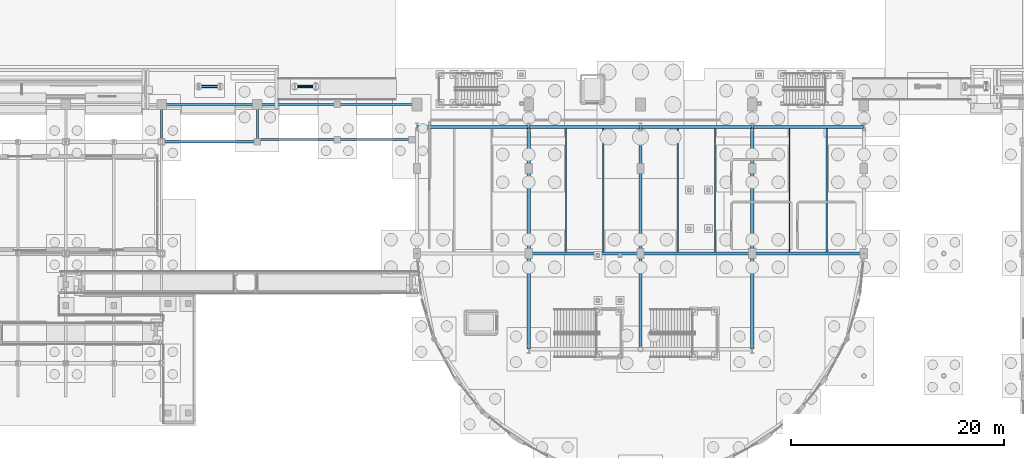
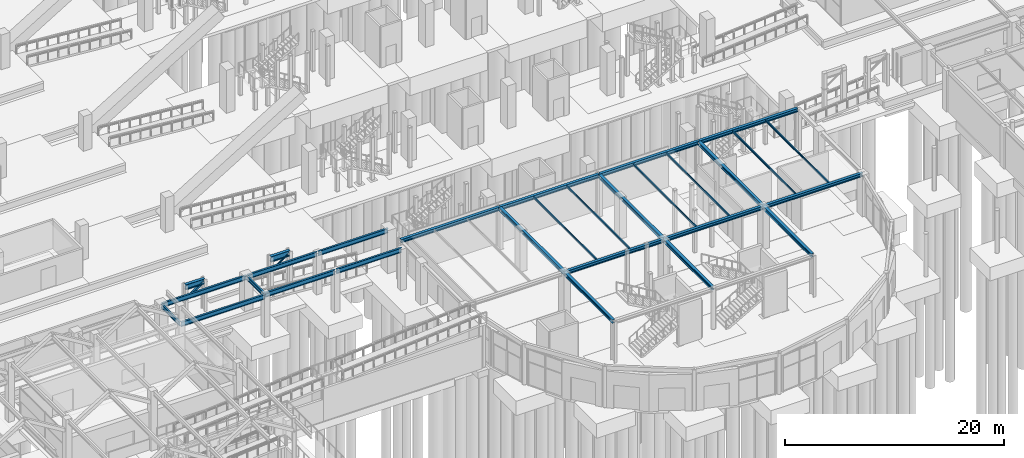
# One storey, part 70 of 160: 29 beams, 2 members.
"""IFC4 building model written with IfcOpenShell, lengths in metres."""

from ifc_helpers import new_model, si_unit, direction, frame, origin, origin_2d, place, context, subcontext, project, spatial, hollow_rectangle, hollow_circle, i_section, extrude, material, material_profile, profile_set, type_object, element, save


model = new_model("IFC4")

# Units and contexts
model_context = context("Model", 3, precision=1e-05, world=origin(), true_north=direction((0.0, 1.0)))
body_context = subcontext(model_context, "Body", "Model", "MODEL_VIEW")
ifc_project = project(units=[si_unit("LENGTHUNIT", "METRE"), si_unit("AREAUNIT", "SQUARE_METRE"), si_unit("VOLUMEUNIT", "CUBIC_METRE"), si_unit("PLANEANGLEUNIT", "RADIAN"), si_unit("MASSUNIT", "GRAM", prefix="KILO")], contexts=[model_context])

# Site, building, storey
site_placement = place(None, origin())
site = spatial("IfcSite", under=ifc_project, at=site_placement, CompositionType="ELEMENT")
building_placement = place(site_placement, origin())
building = spatial("IfcBuilding", under=site, at=building_placement, Name="Marlcrest Central Station", CompositionType="ELEMENT")
storey_placement = place(building_placement, origin())
storey = spatial("IfcBuildingStorey", under=building, at=storey_placement, Name="L00", CompositionType="ELEMENT", Elevation=0.0)

# Members
ifc_material = material(Name="Steel S355", Category="steel")
ifc_material_profile_1 = material_profile(ifc_material, hollow_rectangle(XDim=0.219970703125, YDim=0.219970703125, WallThickness=0.012451171875, at=origin_2d()), Name="SHS 220x220x12.5")
ifc_profile_set_1 = profile_set([ifc_material_profile_1], Name="Steel S355")
member_type_1 = type_object("IfcMemberType", Name="BF-06", PredefinedType="BRACE", material=ifc_profile_set_1)
member_1_placement = place(storey_placement, frame((66.5, 38.199951171875, 2.699951171875), z_axis=(0.819203731481, 0.0, 0.57350261231), x_axis=(0.0, 1.0, 0.0)))
element("IfcMember", 1, at=member_1_placement, inside=storey, type_object=member_type_1, Name="mem-BF-06-L00-02550", PredefinedType="BRACE", context=body_context, shape_type="SweptSolid", body=[
    extrude(hollow_rectangle(XDim=0.219970703125, YDim=0.219970703125, WallThickness=0.012451171875, at=origin_2d()), origin(), (0.0, 0.0, 1.0), 2.44140625),
])
ifc_material_profile_2 = material_profile(ifc_material, hollow_circle(Radius=0.06982421875, WallThickness=0.008056640625, at=origin_2d()), Name="CHS 139.7x8")
ifc_profile_set_2 = profile_set([ifc_material_profile_2], Name="Steel S355")
member_type_2 = type_object("IfcMemberType", Name="BF-07", PredefinedType="BRACE", material=ifc_profile_set_2)
member_2_placement = place(storey_placement, frame((75.5, 38.199951171875, 2.699951171875), z_axis=(0.819203731481, 0.0, 0.57350261231), x_axis=(0.0, 1.0, 0.0)))
element("IfcMember", 2, at=member_2_placement, inside=storey, type_object=member_type_2, Name="mem-BF-07-L00-02552", PredefinedType="BRACE", context=body_context, shape_type="SweptSolid", body=[
    extrude(hollow_circle(Radius=0.06982421875, WallThickness=0.008056640625, at=origin_2d()), origin(), (0.0, 0.0, 1.0), 2.44140625),
])

# Beams
ifc_material_profile_3 = material_profile(ifc_material, i_section(OverallWidth=0.18994140625, OverallDepth=0.449951171875, WebThickness=0.009521484375, FlangeThickness=0.0146484375, FilletRadius=0.02099609375, at=origin_2d()), Name="IPE 450")
ifc_profile_set_3 = profile_set([ifc_material_profile_3], Name="Steel S355")
beam_type_1 = type_object("IfcBeamType", Name="BM-04", PredefinedType="BEAM", material=ifc_profile_set_3)
for number, where, z_axis, x_axis, name in (
    (3, (63.0, 33.050048828125, 4.385009765625), (0.0, 1.0, 0.0), (-1.0, 0.0, 0.0), "bm-BM-04-L00-01088"),
    (4, (72.0, 33.050048828125, 4.385009765625), (0.0, 1.0, 0.0), (-1.0, 0.0, 0.0), "bm-BM-04-L00-01093"),
):
    element("IfcBeam", number, at=place(storey_placement, frame(where, z_axis=z_axis, x_axis=x_axis)), inside=storey, type_object=beam_type_1, Name=name, PredefinedType="BEAM", context=body_context, shape_type="SweptSolid", body=[
        extrude(i_section(OverallWidth=0.18994140625, OverallDepth=0.449951171875, WebThickness=0.009521484375, FlangeThickness=0.0146484375, FilletRadius=0.02099609375, at=origin_2d()), origin(), (0.0, 0.0, 1.0), 3.39990234375),
    ])
ifc_material_profile_4 = material_profile(ifc_material, i_section(OverallWidth=0.199951171875, OverallDepth=0.5, WebThickness=0.01025390625, FlangeThickness=0.01611328125, FilletRadius=0.02099609375, at=origin_2d()), Name="IPE 500")
ifc_profile_set_4 = profile_set([ifc_material_profile_4], Name="Steel S355")
beam_type_2 = type_object("IfcBeamType", Name="BM-05", PredefinedType="BEAM", material=ifc_profile_set_4)
for number, where, z_axis, x_axis, name in (
    (5, (63.050048828125, 33.0, 4.360107421875), (1.0, 0.0, 0.0), (0.0, 1.0, 0.0), "bm-BM-05-L00-01090"),
    (6, (63.050048828125, 36.5, 4.360107421875), (1.0, 0.0, 0.0), (0.0, 1.0, 0.0), "bm-BM-05-L00-01091"),
):
    element("IfcBeam", number, at=place(storey_placement, frame(where, z_axis=z_axis, x_axis=x_axis)), inside=storey, type_object=beam_type_2, Name=name, PredefinedType="BEAM", context=body_context, shape_type="SweptSolid", body=[
        extrude(i_section(OverallWidth=0.199951171875, OverallDepth=0.5, WebThickness=0.01025390625, FlangeThickness=0.01611328125, FilletRadius=0.02099609375, at=origin_2d()), origin(), (0.0, 0.0, 1.0), 8.89990234375),
    ])
beam_1_placement = place(storey_placement, frame((72.050048828125, 33.199951171875, 4.360107421875), z_axis=(1.0, 0.0, 0.0), x_axis=(0.0, 1.0, 0.0)))
element("IfcBeam", 7, at=beam_1_placement, inside=storey, type_object=beam_type_2, Name="bm-BM-05-L00-01137", PredefinedType="BEAM", context=body_context, shape_type="SweptSolid", body=[
    extrude(i_section(OverallWidth=0.199951171875, OverallDepth=0.5, WebThickness=0.01025390625, FlangeThickness=0.01611328125, FilletRadius=0.02099609375, at=origin_2d()), origin(), (0.0, 0.0, 1.0), 7.39990234375),
])
beam_2_placement = place(storey_placement, frame((79.550048828125, 33.199951171875, 4.360107421875), z_axis=(1.0, 0.0, 0.0), x_axis=(0.0, 1.0, 0.0)))
element("IfcBeam", 8, at=beam_2_placement, inside=storey, type_object=beam_type_2, Name="bm-BM-05-L00-01138", PredefinedType="BEAM", context=body_context, shape_type="SweptSolid", body=[
    extrude(i_section(OverallWidth=0.199951171875, OverallDepth=0.5, WebThickness=0.01025390625, FlangeThickness=0.01611328125, FilletRadius=0.02099609375, at=origin_2d()), origin(), (0.0, 0.0, 1.0), 6.89990234375),
])
for number, where, z_axis, x_axis, name in (
    (9, (72.050048828125, 36.5, 4.360107421875), (1.0, 0.0, 0.0), (0.0, 1.0, 0.0), "bm-BM-05-L00-01139"),
    (10, (79.550048828125, 36.5, 4.360107421875), (1.0, 0.0, 0.0), (0.0, 1.0, 0.0), "bm-BM-05-L00-01140"),
):
    element("IfcBeam", number, at=place(storey_placement, frame(where, z_axis=z_axis, x_axis=x_axis)), inside=storey, type_object=beam_type_2, Name=name, PredefinedType="BEAM", context=body_context, shape_type="SweptSolid", body=[
        extrude(i_section(OverallWidth=0.199951171875, OverallDepth=0.5, WebThickness=0.01025390625, FlangeThickness=0.01611328125, FilletRadius=0.02099609375, at=origin_2d()), origin(), (0.0, 0.0, 1.0), 7.39990234375),
    ])
ifc_material_profile_5 = material_profile(ifc_material, i_section(OverallWidth=0.300048828125, OverallDepth=0.389892578125, WebThickness=0.010986328125, FlangeThickness=0.01904296875, FilletRadius=0.027099609375, at=origin_2d()), Name="HEA 400")
ifc_profile_set_5 = profile_set([ifc_material_profile_5], Name="Steel S355")
beam_type_3 = type_object("IfcBeamType", Name="BM-08", PredefinedType="BEAM", material=ifc_profile_set_5)
for number, where, z_axis, x_axis, name in (
    (11, (97.550048828125, 22.5, 4.409912109375), (1.0, 0.0, 0.0), (0.0, 1.0, 0.0), "bm-BM-08-L00-01334"),
    (12, (108.050048828125, 22.5, 4.409912109375), (1.0, 0.0, 0.0), (0.0, 1.0, 0.0), "bm-BM-08-L00-01335"),
    (13, (118.550048828125, 22.5, 4.409912109375), (1.0, 0.0, 0.0), (0.0, 1.0, 0.0), "bm-BM-08-L00-01336"),
):
    element("IfcBeam", number, at=place(storey_placement, frame(where, z_axis=z_axis, x_axis=x_axis)), inside=storey, type_object=beam_type_3, Name=name, PredefinedType="BEAM", context=body_context, shape_type="SweptSolid", body=[
        extrude(i_section(OverallWidth=0.300048828125, OverallDepth=0.389892578125, WebThickness=0.010986328125, FlangeThickness=0.01904296875, FilletRadius=0.027099609375, at=origin_2d()), origin(), (0.0, 0.0, 1.0), 10.39990234375),
    ])
for number, where, z_axis, x_axis, name in (
    (14, (97.5, 13.550048828125, 4.409912109375), (0.0, 1.0, 0.0), (-1.0, 0.0, 0.0), "bm-BM-08-L00-01337"),
    (15, (108.0, 13.550048828125, 4.409912109375), (0.0, 1.0, 0.0), (-1.0, 0.0, 0.0), "bm-BM-08-L00-01338"),
    (16, (118.5, 13.550048828125, 4.409912109375), (0.0, 1.0, 0.0), (-1.0, 0.0, 0.0), "bm-BM-08-L00-01339"),
):
    element("IfcBeam", number, at=place(storey_placement, frame(where, z_axis=z_axis, x_axis=x_axis)), inside=storey, type_object=beam_type_3, Name=name, PredefinedType="BEAM", context=body_context, shape_type="SweptSolid", body=[
        extrude(i_section(OverallWidth=0.300048828125, OverallDepth=0.389892578125, WebThickness=0.010986328125, FlangeThickness=0.01904296875, FilletRadius=0.027099609375, at=origin_2d()), origin(), (0.0, 0.0, 1.0), 8.89990234375),
    ])
for number, where, z_axis, x_axis, name in (
    (17, (87.050048828125, 34.39990234375, 4.409912109375), (1.0, 0.0, 0.0), (0.0, 1.0, 0.0), "bm-BM-08-L00-01340"),
    (18, (97.550048828125, 34.39990234375, 4.409912109375), (1.0, 0.0, 0.0), (0.0, 1.0, 0.0), "bm-BM-08-L00-01341"),
    (19, (108.050048828125, 34.39990234375, 4.409912109375), (1.0, 0.0, 0.0), (0.0, 1.0, 0.0), "bm-BM-08-L00-01342"),
    (20, (118.550048828125, 34.39990234375, 4.409912109375), (1.0, 0.0, 0.0), (0.0, 1.0, 0.0), "bm-BM-08-L00-01343"),
):
    element("IfcBeam", number, at=place(storey_placement, frame(where, z_axis=z_axis, x_axis=x_axis)), inside=storey, type_object=beam_type_3, Name=name, PredefinedType="BEAM", context=body_context, shape_type="SweptSolid", body=[
        extrude(i_section(OverallWidth=0.300048828125, OverallDepth=0.389892578125, WebThickness=0.010986328125, FlangeThickness=0.01904296875, FilletRadius=0.027099609375, at=origin_2d()), origin(), (0.0, 0.0, 1.0), 10.39990234375),
    ])
for number, where, z_axis, x_axis, name in (
    (21, (97.5, 22.550048828125, 4.409912109375), (0.0, 1.0, 0.0), (-1.0, 0.0, 0.0), "bm-BM-08-L00-01345"),
    (22, (108.0, 22.550048828125, 4.409912109375), (0.0, 1.0, 0.0), (-1.0, 0.0, 0.0), "bm-BM-08-L00-01346"),
    (23, (118.5, 22.550048828125, 4.409912109375), (0.0, 1.0, 0.0), (-1.0, 0.0, 0.0), "bm-BM-08-L00-01347"),
):
    element("IfcBeam", number, at=place(storey_placement, frame(where, z_axis=z_axis, x_axis=x_axis)), inside=storey, type_object=beam_type_3, Name=name, PredefinedType="BEAM", context=body_context, shape_type="SweptSolid", body=[
        extrude(i_section(OverallWidth=0.300048828125, OverallDepth=0.389892578125, WebThickness=0.010986328125, FlangeThickness=0.01904296875, FilletRadius=0.027099609375, at=origin_2d()), origin(), (0.0, 0.0, 1.0), 11.800048828125),
    ])
ifc_material_profile_6 = material_profile(ifc_material, i_section(OverallWidth=0.300048828125, OverallDepth=0.590087890625, WebThickness=0.012939453125, FlangeThickness=0.02490234375, FilletRadius=0.027099609375, at=origin_2d()), Name="HEA 600")
ifc_profile_set_6 = profile_set([ifc_material_profile_6], Name="Steel S355")
beam_type_4 = type_object("IfcBeamType", Name="BM-14", PredefinedType="BEAM", material=ifc_profile_set_6)
beam_3_placement = place(storey_placement, frame((66.5, 38.199951171875, 4.155029296875), z_axis=(1.0, 0.0, 0.0), x_axis=(0.0, 1.0, 0.0)))
element("IfcBeam", 24, at=beam_3_placement, inside=storey, type_object=beam_type_4, Name="bm-BM-14-L00-01554", PredefinedType="BEAM", context=body_context, shape_type="SweptSolid", body=[
    extrude(i_section(OverallWidth=0.300048828125, OverallDepth=0.590087890625, WebThickness=0.012939453125, FlangeThickness=0.02490234375, FilletRadius=0.027099609375, at=origin_2d()), origin(), (0.0, 0.0, 1.0), 2.0),
])
ifc_material_profile_7 = material_profile(ifc_material, i_section(OverallWidth=0.300048828125, OverallDepth=0.639892578125, WebThickness=0.013427734375, FlangeThickness=0.02587890625, FilletRadius=0.027099609375, at=origin_2d()), Name="HEA 650")
ifc_profile_set_7 = profile_set([ifc_material_profile_7], Name="Steel S355")
beam_type_5 = type_object("IfcBeamType", Name="BM-15", PredefinedType="BEAM", material=ifc_profile_set_7)
beam_4_placement = place(storey_placement, frame((75.5, 38.199951171875, 4.1298828125), z_axis=(1.0, 0.0, 0.0), x_axis=(0.0, 1.0, 0.0)))
element("IfcBeam", 25, at=beam_4_placement, inside=storey, type_object=beam_type_5, Name="bm-BM-15-L00-01556", PredefinedType="BEAM", context=body_context, shape_type="SweptSolid", body=[
    extrude(i_section(OverallWidth=0.300048828125, OverallDepth=0.639892578125, WebThickness=0.013427734375, FlangeThickness=0.02587890625, FilletRadius=0.027099609375, at=origin_2d()), origin(), (0.0, 0.0, 1.0), 2.0),
])
ifc_material_profile_8 = material_profile(ifc_material, i_section(OverallWidth=0.110107421875, OverallDepth=0.219970703125, WebThickness=0.005859375, FlangeThickness=0.00927734375, FilletRadius=0.011962890625, at=origin_2d()), Name="IPE 220")
ifc_profile_set_8 = profile_set([ifc_material_profile_8], Name="Steel S355")
beam_type_6 = type_object("IfcBeamType", Name="JS-02", PredefinedType="JOIST", material=ifc_profile_set_8)
for number, where, z_axis, x_axis, name in (
    (26, (101.0, 22.64794921875, 4.4951171875), (0.0, 1.0, 0.0), (-1.0, 0.0, 0.0), "bm-JS-02-L00-01351"),
    (27, (104.5, 22.64794921875, 4.4951171875), (0.0, 1.0, 0.0), (-1.0, 0.0, 0.0), "bm-JS-02-L00-01352"),
    (28, (111.5, 22.64794921875, 4.4951171875), (0.0, 1.0, 0.0), (-1.0, 0.0, 0.0), "bm-JS-02-L00-01353"),
    (29, (115.0, 22.64794921875, 4.4951171875), (0.0, 1.0, 0.0), (-1.0, 0.0, 0.0), "bm-JS-02-L00-01354"),
    (30, (122.0, 22.64794921875, 4.4951171875), (0.0, 1.0, 0.0), (-1.0, 0.0, 0.0), "bm-JS-02-L00-01355"),
    (31, (125.5, 22.64794921875, 4.4951171875), (0.0, 1.0, 0.0), (-1.0, 0.0, 0.0), "bm-JS-02-L00-01356"),
):
    element("IfcBeam", number, at=place(storey_placement, frame(where, z_axis=z_axis, x_axis=x_axis)), inside=storey, type_object=beam_type_6, Name=name, PredefinedType="JOIST", context=body_context, shape_type="SweptSolid", body=[
        extrude(i_section(OverallWidth=0.110107421875, OverallDepth=0.219970703125, WebThickness=0.005859375, FlangeThickness=0.00927734375, FilletRadius=0.011962890625, at=origin_2d()), origin(), (0.0, 0.0, 1.0), 11.60400390625),
    ])

save(model, "model.ifc")
